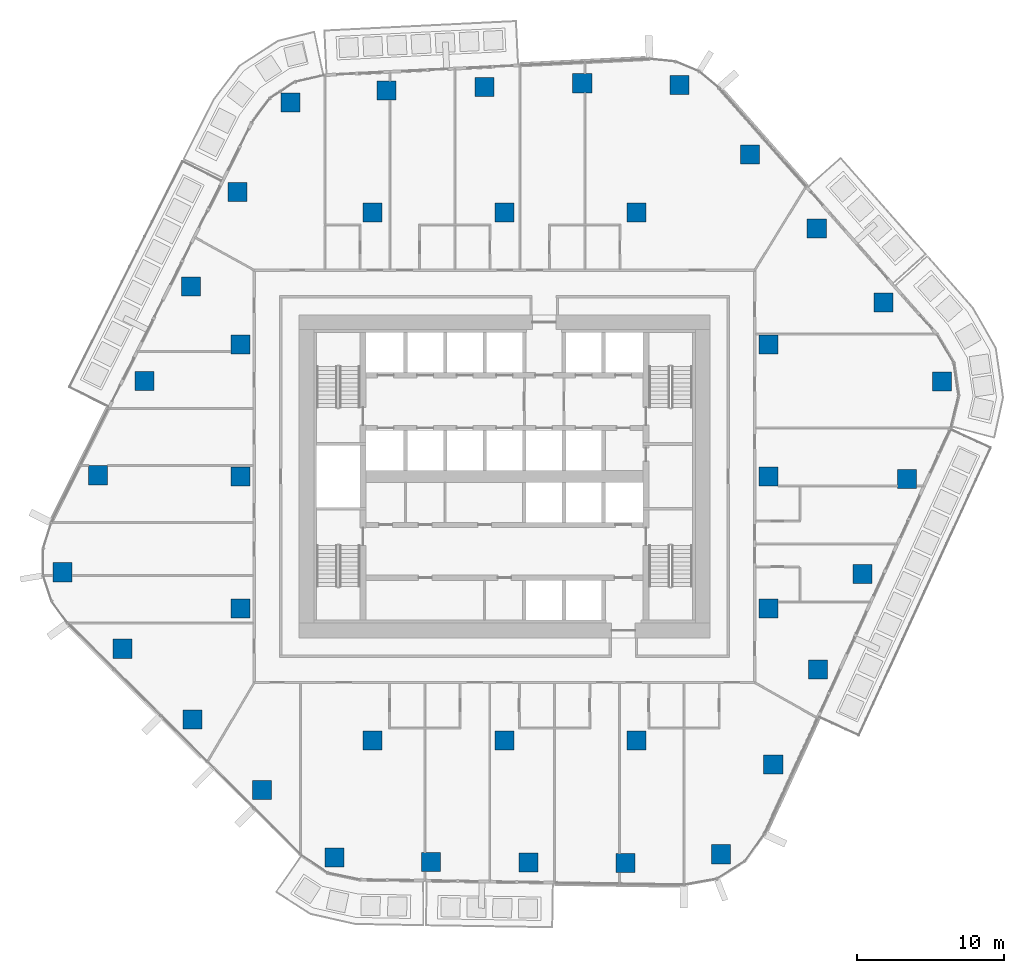
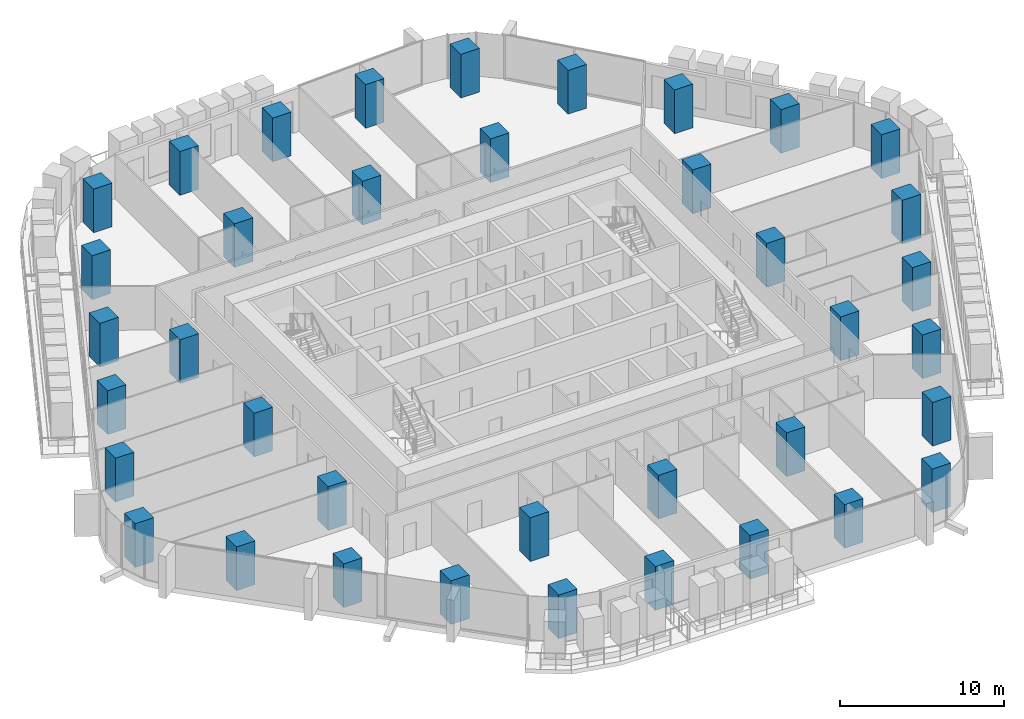
# One storey, part 1 of 24: 38 columns.
"""IFC4 building model written with IfcOpenShell, lengths in metres."""

import ifcopenshell
import ifcopenshell.guid

model = None  # the IFC model being written
_history = None  # IfcOwnerHistory: only IFC2X3 demands one
_inside = {}  # id of a spatial element -> (the spatial element, [elements in it])
_under = {}  # id of a project, library or spatial element -> (it, [spatial elements below it])
_declared = {}  # id of a project -> (the project, [libraries it declares])
_typed = {}  # id of a type object -> (the type object, [elements of that type])
_made_of = {}  # id of a material, layer set ... -> (it, [elements and type objects made of it])


def new_model(schema):
    """Start an empty IFC model of exactly this schema.

    Asked for "IFC4X3", IfcOpenShell would pick the latest addendum, in which some entities
    have other attributes; the version numbers below select the first issue.
    IFC2X3 requires an IfcOwnerHistory on every rooted entity: one is made here for all.
    """
    global model, _history
    if schema == "IFC4X3":
        model = ifcopenshell.file(schema_version=(4, 3, 0, 0))
    else:
        model = ifcopenshell.file(schema=schema)
    _inside.clear()
    _under.clear()
    _declared.clear()
    _typed.clear()
    _made_of.clear()
    _history = None
    if model.schema == "IFC2X3":
        org = make("IfcOrganization", Name="unknown")
        user = make(
            "IfcPersonAndOrganization",
            ThePerson=make("IfcPerson", FamilyName="unknown"),
            TheOrganization=org,
        )
        app = make(
            "IfcApplication",
            ApplicationDeveloper=org,
            Version="unknown",
            ApplicationFullName="unknown",
            ApplicationIdentifier="unknown",
        )
        _history = make(
            "IfcOwnerHistory",
            OwningUser=user,
            OwningApplication=app,
            ChangeAction="ADDED",
            CreationDate=0,
        )
    return model


def make(cls, **values):
    """One entity of the class cls with the attributes given. An attribute that is None is left unset."""
    return model.create_entity(
        cls, **{name: value for name, value in values.items() if value is not None}
    )


def rooted(cls, **values):
    """An entity with a GlobalId (a new one), such as an element, a storey or a relation."""
    return make(cls, GlobalId=ifcopenshell.guid.new(), OwnerHistory=_history, **values)


def si_unit(unit_type, name, prefix=None):
    """IfcSIUnit, for example si_unit("LENGTHUNIT", "METRE", prefix="MILLI")."""
    return make("IfcSIUnit", UnitType=unit_type, Prefix=prefix, Name=name)


def assignment(units):
    """IfcUnitAssignment: the units of a project."""
    return None if units is None else make("IfcUnitAssignment", Units=units)


def point(xyz):
    """IfcCartesianPoint."""
    return None if xyz is None else make("IfcCartesianPoint", Coordinates=xyz)


def direction(xyz):
    """IfcDirection."""
    return None if xyz is None else make("IfcDirection", DirectionRatios=xyz)


def frame(location, z_axis=None, x_axis=None):
    """IfcAxis2Placement3D, a coordinate frame: its origin and axes. An axis left out is left unset."""
    return make(
        "IfcAxis2Placement3D",
        Location=point(location),
        Axis=direction(z_axis),
        RefDirection=direction(x_axis),
    )


def frame_2d(location, x_axis=None):
    """IfcAxis2Placement2D, a coordinate frame in the plane: its origin and x axis."""
    return make(
        "IfcAxis2Placement2D", Location=point(location), RefDirection=direction(x_axis)
    )


def origin():
    """The frame at (0, 0, 0) with its axes left unset."""
    return frame((0.0, 0.0, 0.0))


def origin_2d():
    """The frame at (0, 0) in the plane with its x axis left unset."""
    return frame_2d((0.0, 0.0))


def place(relative_to, where):
    """IfcLocalPlacement: puts the frame where relative to a parent placement (None: the world)."""
    return make(
        "IfcLocalPlacement", PlacementRelTo=relative_to, RelativePlacement=where
    )


def context(
    kind, dimensions, precision=None, world=None, true_north=None, identifier=None
):
    """IfcGeometricRepresentationContext, for example the 3D "Model" context."""
    return make(
        "IfcGeometricRepresentationContext",
        ContextIdentifier=identifier,
        ContextType=kind,
        CoordinateSpaceDimension=dimensions,
        Precision=precision,
        WorldCoordinateSystem=world,
        TrueNorth=true_north,
    )


def subcontext(parent, identifier, kind, view, scale=None):
    """IfcGeometricRepresentationSubContext, for example "Body" below "Model"."""
    return make(
        "IfcGeometricRepresentationSubContext",
        ContextIdentifier=identifier,
        ContextType=kind,
        ParentContext=parent,
        TargetScale=scale,
        TargetView=view,
    )


def project(units=None, contexts=None):
    """IfcProject with its units and contexts."""
    return rooted(
        "IfcProject",
        Name="project",
        RepresentationContexts=contexts,
        UnitsInContext=assignment(units),
    )


def spatial(cls, under=None, at=None, **own):
    """A site, building, storey or space (cls), placed at a placement, below another one or the project."""
    s = rooted(cls, ObjectPlacement=at, **own)
    if under is not None:
        _under.setdefault(under.id(), (under, []))[1].append(s)
    return s


def profile(cls, at=None, kind="AREA", **sizes):
    """A parametric profile (cls). Its sizes go by their IFC names, for example OverallWidth=200.0."""
    return make(cls, ProfileType=kind, Position=at, **sizes)


def rectangle(**sizes):
    """IfcRectangleProfileDef."""
    return profile("IfcRectangleProfileDef", **sizes)


def extrude(swept, where, along, depth):
    """IfcExtrudedAreaSolid: the profile swept, set in the frame where, extruded along a direction by depth."""
    return make(
        "IfcExtrudedAreaSolid",
        SweptArea=swept,
        Position=where,
        ExtrudedDirection=direction(along),
        Depth=depth,
    )


def shape(context_of_items, identifier, shape_type, items):
    """IfcShapeRepresentation: the items that make up one representation, for example the "Body"."""
    return make(
        "IfcShapeRepresentation",
        ContextOfItems=context_of_items,
        RepresentationIdentifier=identifier,
        RepresentationType=shape_type,
        Items=items,
    )


def material(Name=None, Category=None):
    """IfcMaterial."""
    return make("IfcMaterial", Name=Name, Category=Category)


def material_profile(
    of_material, cross_section, Name=None, Category=None, Priority=None
):
    """IfcMaterialProfile: a cross section and its material."""
    return make(
        "IfcMaterialProfile",
        Name=Name,
        Material=of_material,
        Profile=cross_section,
        Priority=Priority,
        Category=Category,
    )


def profile_set(profiles, Name=None, composite=None):
    """IfcMaterialProfileSet."""
    return make(
        "IfcMaterialProfileSet",
        Name=Name,
        MaterialProfiles=profiles,
        CompositeProfile=composite,
    )


def made_of(thing, what):
    """Note that an element or type object is made of a material, layer set ...; save() writes the relation."""
    if what is not None:
        _made_of.setdefault(what.id(), (what, []))[1].append(thing)
    return thing


def type_object(cls, material=None, **own):
    """A type object (cls), such as IfcWallType, which elements share."""
    return made_of(rooted(cls, **own), material)


def element(
    cls,
    number,
    at=None,
    inside=None,
    cuts=None,
    type_object=None,
    material=None,
    context=None,
    identifier="Body",
    shape_type=None,
    held_by="IfcProductDefinitionShape",
    body=None,
    shapes=None,
    **own,
):
    """One element of the class cls, such as IfcWall. Its Tag is "e" and its number.

    at: its placement. inside: the storey or other place that contains it. cuts: it is an
    opening in that element (IfcRelVoidsElement). A single representation is given by context,
    identifier, shape_type and body (its items); several are given by shapes. held_by: the class
    of the entity that holds the representations. save() writes the other relations.
    """
    e = rooted(cls, Tag="e%d" % number, ObjectPlacement=at, **own)
    if body is not None:
        shapes = [shape(context, identifier, shape_type, body)]
    if shapes is not None:
        e.Representation = make(held_by, Representations=shapes)
    if inside is not None:
        _inside.setdefault(inside.id(), (inside, []))[1].append(e)
    if cuts is not None:
        rooted(
            "IfcRelVoidsElement", RelatingBuildingElement=cuts, RelatedOpeningElement=e
        )
    if type_object is not None:
        _typed.setdefault(type_object.id(), (type_object, []))[1].append(e)
    return made_of(e, material)


def aggregate(whole, parts):
    """IfcRelAggregates: a whole, such as a stair, and the parts it consists of."""
    return rooted("IfcRelAggregates", RelatingObject=whole, RelatedObjects=parts)


def save(model, path):
    """Write the relations noted so far, then the file.

    IfcRelAggregates (storeys below a building ...), IfcRelContainedInSpatialStructure (elements
    in a storey), IfcRelDefinesByType, IfcRelAssociatesMaterial and IfcRelDeclares: one each for
    every whole, place, type object, material and project.
    """
    for whole, parts in _under.values():
        aggregate(whole, parts)
    for where, things in _inside.values():
        rooted(
            "IfcRelContainedInSpatialStructure",
            RelatedElements=things,
            RelatingStructure=where,
        )
    for kind, things in _typed.values():
        rooted("IfcRelDefinesByType", RelatedObjects=things, RelatingType=kind)
    for what, things in _made_of.values():
        rooted("IfcRelAssociatesMaterial", RelatedObjects=things, RelatingMaterial=what)
    for by, libraries in _declared.values():
        rooted("IfcRelDeclares", RelatingContext=by, RelatedDefinitions=libraries)
    model.write(path)


model = new_model("IFC4")

# Units and contexts
model_context = context("Model", 3, precision=1e-05, world=origin(), true_north=direction((0.0, 1.0)))
body_context = subcontext(model_context, "Body", "Model", "MODEL_VIEW")
ifc_project = project(units=[si_unit("LENGTHUNIT", "METRE"), si_unit("AREAUNIT", "SQUARE_METRE"), si_unit("VOLUMEUNIT", "CUBIC_METRE"), si_unit("PLANEANGLEUNIT", "RADIAN"), si_unit("MASSUNIT", "GRAM", prefix="KILO")], contexts=[model_context])

# Site, building, storey
site_placement = place(None, origin())
site = spatial("IfcSite", under=ifc_project, at=site_placement, CompositionType="ELEMENT")
building_placement = place(site_placement, origin())
building = spatial("IfcBuilding", under=site, at=building_placement, Name="Dongbaek Canopy Tower", CompositionType="ELEMENT")
storey_placement = place(building_placement, frame((0.0, 0.0, 98.89990234375)))
storey = spatial("IfcBuildingStorey", under=building, at=storey_placement, Name="L20", CompositionType="ELEMENT", Elevation=98.89990234375)

# Columns
ifc_material = material(Name="Concrete C80", Category="concrete")
ifc_material_profile = material_profile(ifc_material, rectangle(XDim=1.300048828125, YDim=1.300048828125, at=origin_2d()), Name="RC COLUMN 1300x1300 C80")
ifc_profile_set = profile_set([ifc_material_profile], Name="Concrete C80")
column_type = type_object("IfcColumnType", Name="RC COLUMN 1300x1300 C80", PredefinedType="COLUMN", material=ifc_profile_set)
for number, where, z_axis, x_axis, name in (
    (1, (14.760009765625, -25.7490234375, 0.0), (0.0, 0.0, 1.0), (1.0, 0.0, 0.0), "COL:CZ2-01:L20"),
    (2, (8.258056640625, -26.34912109375, 0.0), (0.0, 0.0, 1.0), (1.0, 0.0, 0.0), "COL:CZ2-02:L20"),
    (3, (1.62890625, -26.319091796875, 0.0), (0.0, 0.0, 1.0), (1.0, 0.0, 0.0), "COL:CZ2-03:L20"),
    (4, (-5.0, -26.2900390625, 0.0), (0.0, 0.0, 1.0), (1.0, 0.0, 0.0), "COL:CZ2-04:L20"),
    (5, (-11.59912109375, -25.966064453125, 0.0), (0.0, 0.0, 1.0), (1.0, 0.0, 0.0), "COL:CZ2-05:L20"),
    (6, (-16.532958984375, -21.376953125, 0.0), (0.0, 0.0, 1.0), (1.0, 0.0, 0.0), "COL:CZ2-06:L20"),
    (7, (-21.277099609375, -16.56005859375, 0.0), (0.0, 0.0, 1.0), (1.0, 0.0, 0.0), "COL:CZ2-07:L20"),
    (8, (-26.02099609375, -11.742919921875, 0.0), (0.0, 0.0, 1.0), (1.0, 0.0, 0.0), "COL:CZ2-08:L20"),
    (9, (-30.125, -6.527099609375, 0.0), (0.0, 0.0, 1.0), (1.0, 0.0, 0.0), "COL:CZ2-09:L20"),
    (10, (-27.693115234375, 0.0830078125, 0.0), (0.0, 0.0, 1.0), (1.0, 0.0, 0.0), "COL:CZ2-10:L20"),
    (11, (-24.529052734375, 6.51806640625, 0.0), (0.0, 0.0, 1.0), (1.0, 0.0, 0.0), "COL:CZ2-11:L20"),
    (12, (-21.364013671875, 12.951904296875, 0.0), (0.0, 0.0, 1.0), (1.0, 0.0, 0.0), "COL:CZ2-12:L20"),
    (13, (-18.198974609375, 19.385986328125, 0.0), (0.0, 0.0, 1.0), (1.0, 0.0, 0.0), "COL:CZ2-13:L20"),
    (14, (-14.575927734375, 25.471923828125, 0.0), (0.0, 0.0, 1.0), (1.0, 0.0, 0.0), "COL:CZ2-14:L20"),
    (15, (-8.041015625, 26.2880859375, 0.0), (0.0, 0.0, 1.0), (1.0, 0.0, 0.0), "COL:CZ2-15:L20"),
    (16, (-1.3720703125, 26.5439453125, 0.0), (0.0, 0.0, 1.0), (1.0, 0.0, 0.0), "COL:CZ2-16:L20"),
    (17, (5.294921875, 26.798095703125, 0.0), (0.0, 0.0, 1.0), (1.0, 0.0, 0.0), "COL:CZ2-17:L20"),
    (18, (11.9169921875, 26.674072265625, 0.0), (0.0, 0.0, 1.0), (1.0, 0.0, 0.0), "COL:CZ2-18:L20"),
    (19, (16.718017578125, 21.93505859375, 0.0), (0.0, 0.0, 1.0), (1.0, 0.0, 0.0), "COL:CZ2-19:L20"),
    (20, (21.280029296875, 16.89794921875, 0.0), (0.0, 0.0, 1.0), (1.0, 0.0, 0.0), "COL:CZ2-20:L20"),
    (21, (25.841064453125, 11.862060546875, 0.0), (0.0, 0.0, 1.0), (1.0, 0.0, 0.0), "COL:CZ2-21:L20"),
    (22, (29.81103515625, 6.48193359375, 0.0), (0.0, 0.0, 1.0), (1.0, 0.0, 0.0), "COL:CZ2-22:L20"),
    (23, (27.43603515625, -0.1650390625, 0.0), (0.0, 0.0, 1.0), (1.0, 0.0, 0.0), "COL:CZ2-23:L20"),
    (24, (24.39599609375, -6.656982421875, 0.0), (0.0, 0.0, 1.0), (1.0, 0.0, 0.0), "COL:CZ2-24:L20"),
    (25, (21.35595703125, -13.14990234375, 0.0), (0.0, 0.0, 1.0), (1.0, 0.0, 0.0), "COL:CZ2-25:L20"),
    (26, (18.31494140625, -19.64208984375, 0.0), (0.0, 0.0, 1.0), (1.0, 0.0, 0.0), "COL:CZ2-26:L20"),
    (27, (-18.0, -9.0, 0.0), (0.0, 0.0, 1.0), (1.0, 0.0, 0.0), "COL:CIZ2-01:L20"),
    (28, (-18.0, 0.0, 0.0), (0.0, 0.0, 1.0), (1.0, 0.0, 0.0), "COL:CIZ2-02:L20"),
    (29, (-18.0, 9.0, 0.0), (0.0, 0.0, 1.0), (1.0, 0.0, 0.0), "COL:CIZ2-03:L20"),
    (30, (-9.0, -18.0, 0.0), (0.0, 0.0, 1.0), (1.0, 0.0, 0.0), "COL:CIZ2-04:L20"),
    (31, (-9.0, 18.0, 0.0), (0.0, 0.0, 1.0), (1.0, 0.0, 0.0), "COL:CIZ2-05:L20"),
    (32, (0.0, -18.0, 0.0), (0.0, 0.0, 1.0), (1.0, 0.0, 0.0), "COL:CIZ2-06:L20"),
    (33, (0.0, 18.0, 0.0), (0.0, 0.0, 1.0), (1.0, 0.0, 0.0), "COL:CIZ2-07:L20"),
    (34, (9.0, -18.0, 0.0), (0.0, 0.0, 1.0), (1.0, 0.0, 0.0), "COL:CIZ2-08:L20"),
    (35, (9.0, 18.0, 0.0), (0.0, 0.0, 1.0), (1.0, 0.0, 0.0), "COL:CIZ2-09:L20"),
    (36, (18.0, -9.0, 0.0), (0.0, 0.0, 1.0), (1.0, 0.0, 0.0), "COL:CIZ2-10:L20"),
    (37, (18.0, 0.0, 0.0), (0.0, 0.0, 1.0), (1.0, 0.0, 0.0), "COL:CIZ2-11:L20"),
    (38, (18.0, 9.0, 0.0), (0.0, 0.0, 1.0), (1.0, 0.0, 0.0), "COL:CIZ2-12:L20"),
):
    element("IfcColumn", number, at=place(storey_placement, frame(where, z_axis=z_axis, x_axis=x_axis)), inside=storey, type_object=column_type, Name=name, PredefinedType="COLUMN", context=body_context, shape_type="SweptSolid", body=[
        extrude(rectangle(XDim=1.300048828125, YDim=1.300048828125, at=origin_2d()), origin(), (0.0, 0.0, 1.0), 3.25),
    ])

save(model, "model.ifc")
